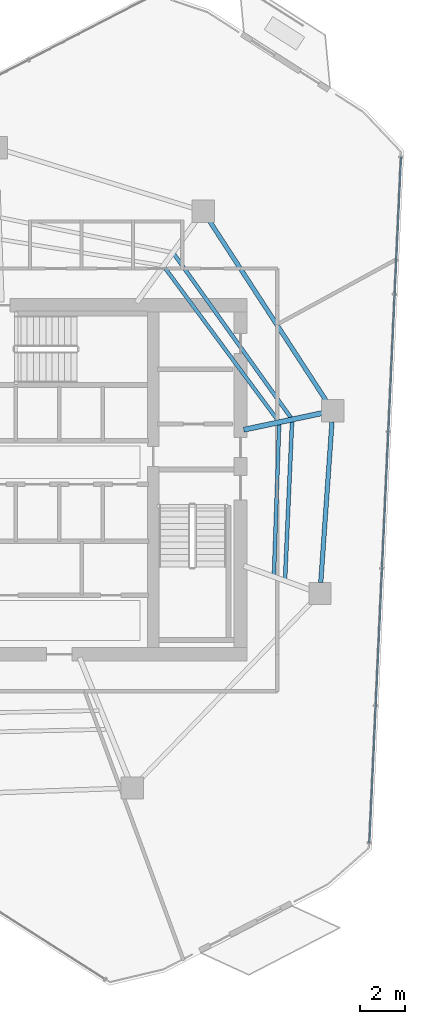
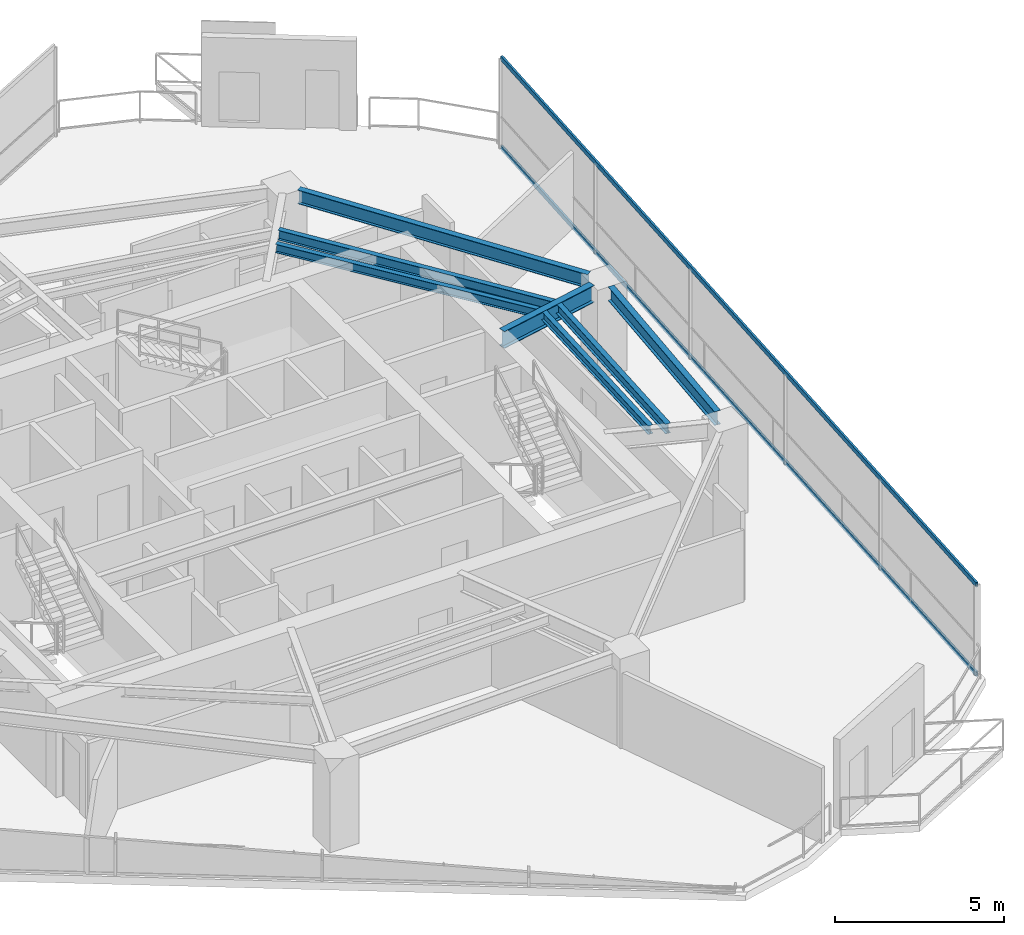
# One storey, part 9 of 20: 7 beams, 2 members, 1 element without a shape of its own.
"""IFC4 building model written with IfcOpenShell, lengths in metres."""

from ifc_helpers import new_model, si_unit, direction, frame, origin, origin_2d, place, context, subcontext, project, spatial, hollow_rectangle, i_section, extrude, material, layer, layer_set, material_profile, profile_set, type_object, element, aggregate, save


model = new_model("IFC4")

# Units and contexts
model_context = context("Model", 3, precision=1e-05, world=origin(), true_north=direction((0.0, 1.0)))
body_context = subcontext(model_context, "Body", "Model", "MODEL_VIEW")
ifc_project = project(units=[si_unit("LENGTHUNIT", "METRE"), si_unit("AREAUNIT", "SQUARE_METRE"), si_unit("VOLUMEUNIT", "CUBIC_METRE"), si_unit("PLANEANGLEUNIT", "RADIAN"), si_unit("MASSUNIT", "GRAM", prefix="KILO")], contexts=[model_context])

# Site, building, storey
site_placement = place(None, origin())
site = spatial("IfcSite", under=ifc_project, at=site_placement, CompositionType="ELEMENT")
building_placement = place(site_placement, origin())
building = spatial("IfcBuilding", under=site, at=building_placement, Name="Qarnah Convention Tower", CompositionType="ELEMENT")
storey_placement = place(building_placement, frame((0.0, 0.0, 168.89990234375)))
storey = spatial("IfcBuildingStorey", under=building, at=storey_placement, Name="L45", CompositionType="ELEMENT", Elevation=168.89990234375)

# Beams
ifc_material_1 = material(Name="Structural steel S355JR", Category="steel")
ifc_material_profile_1 = material_profile(ifc_material_1, i_section(OverallWidth=0.166015625, OverallDepth=0.31201171875, WebThickness=0.007080078125, FlangeThickness=0.010986328125, at=origin_2d()), Name="W310X45")
ifc_profile_set_1 = profile_set([ifc_material_profile_1], Name="Structural steel S355JR")
beam_type_1 = type_object("IfcBeamType", Name="BM-JST-W310", PredefinedType="JOIST", material=ifc_profile_set_1)
beam_1_placement = place(storey_placement, frame((49.278076171875, 29.050048828125, 3.083984375), z_axis=(-0.595115858154, 0.803639916488, 0.0), x_axis=(-0.803639916488, -0.595115858154, 0.0)))
element("IfcBeam", 1, at=beam_1_placement, inside=storey, type_object=beam_type_1, Name="L45 joist BM-L45-IJST-01", PredefinedType="JOIST", context=body_context, shape_type="SweptSolid", body=[
    extrude(i_section(OverallWidth=0.166015625, OverallDepth=0.31201171875, WebThickness=0.007080078125, FlangeThickness=0.010986328125, at=origin_2d()), origin(), (0.0, 0.0, 1.0), 8.52099609375),
])
beam_2_placement = place(storey_placement, frame((49.095947265625, 22.162109375, 3.083984375), z_axis=(0.034644695133, 0.999399692365, 0.0), x_axis=(-0.999399692365, 0.034644695133, 0.0)))
element("IfcBeam", 2, at=beam_2_placement, inside=storey, type_object=beam_type_1, Name="L45 joist BM-L45-IJST-09", PredefinedType="JOIST", context=body_context, shape_type="SweptSolid", body=[
    extrude(i_section(OverallWidth=0.166015625, OverallDepth=0.31201171875, WebThickness=0.007080078125, FlangeThickness=0.010986328125, at=origin_2d()), origin(), (0.0, 0.0, 1.0), 6.72998046875),
])
ifc_material_profile_2 = material_profile(ifc_material_1, i_section(OverallWidth=0.172119140625, OverallDepth=0.35595703125, WebThickness=0.007080078125, FlangeThickness=0.011962890625, at=origin_2d()), Name="W360X51")
ifc_profile_set_2 = profile_set([ifc_material_profile_2], Name="Structural steel S355JR")
beam_type_2 = type_object("IfcBeamType", Name="BM-JST-W360", PredefinedType="JOIST", material=ifc_profile_set_2)
beam_3_placement = place(storey_placement, frame((49.85791015625, 29.174072265625, 3.06201171875), z_axis=(-0.581261320914, 0.813716951286, 0.0), x_axis=(-0.813716951286, -0.581261320914, 0.0)))
element("IfcBeam", 3, at=beam_3_placement, inside=storey, type_object=beam_type_2, Name="L45 joist BM-L45-SJST-01", PredefinedType="JOIST", context=body_context, shape_type="SweptSolid", body=[
    extrude(i_section(OverallWidth=0.172119140625, OverallDepth=0.35595703125, WebThickness=0.007080078125, FlangeThickness=0.011962890625, at=origin_2d()), origin(), (0.0, 0.0, 1.0), 8.987060546875),
])
beam_4_placement = place(storey_placement, frame((49.593994140625, 21.97998046875, 3.06201171875), z_axis=(0.044332910423, 0.999016813199, 0.0), x_axis=(-0.999016813199, 0.044332910423, 0.0)))
element("IfcBeam", 4, at=beam_4_placement, inside=storey, type_object=beam_type_2, Name="L45 joist BM-L45-SJST-09", PredefinedType="JOIST", context=body_context, shape_type="SweptSolid", body=[
    extrude(i_section(OverallWidth=0.172119140625, OverallDepth=0.35595703125, WebThickness=0.007080078125, FlangeThickness=0.011962890625, at=origin_2d()), origin(), (0.0, 0.0, 1.0), 7.037841796875),
])
ifc_material_profile_3 = material_profile(ifc_material_1, i_section(OverallWidth=0.22998046875, OverallDepth=0.617919921875, WebThickness=0.012939453125, FlangeThickness=0.02197265625, at=origin_2d()), Name="W610X140")
ifc_profile_set_3 = profile_set([ifc_material_profile_3], Name="Structural steel S355JR")
beam_type_3 = type_object("IfcBeamType", Name="BM-RAD-W610A", PredefinedType="BEAM", material=ifc_profile_set_3)
beam_5_placement = place(storey_placement, frame((47.7470703125, 28.64111328125, 2.93115234375), z_axis=(0.978133929389, 0.207975999045, 0.0), x_axis=(-0.207975999045, 0.978133929389, 0.0)))
element("IfcBeam", 5, at=beam_5_placement, inside=storey, type_object=beam_type_3, Name="L45 beam BM-L45-RAD-01", PredefinedType="BEAM", context=body_context, shape_type="SweptSolid", body=[
    extrude(i_section(OverallWidth=0.22998046875, OverallDepth=0.617919921875, WebThickness=0.012939453125, FlangeThickness=0.02197265625, at=origin_2d()), origin(), (0.0, 0.0, 1.0), 3.586181640625),
])
ifc_material_profile_4 = material_profile(ifc_material_1, i_section(OverallWidth=0.199951171875, OverallDepth=0.5, WebThickness=0.010009765625, FlangeThickness=0.01611328125, at=origin_2d()), Name="IPE500")
ifc_profile_set_4 = profile_set([ifc_material_profile_4], Name="Structural steel S355JR")
beam_type_4 = type_object("IfcBeamType", Name="BM-SPN-IPE500", PredefinedType="SPANDREL", material=ifc_profile_set_4)
beam_6_placement = place(storey_placement, frame((51.4580078125, 29.89794921875, 2.989990234375), z_axis=(-0.544531816504, 0.838740186717, 0.0), x_axis=(-0.838740186717, -0.544531816504, 0.0)))
element("IfcBeam", 6, at=beam_6_placement, inside=storey, type_object=beam_type_4, Name="L45 spandrel BM-L45-SPN-01", PredefinedType="SPANDREL", context=body_context, shape_type="SweptSolid", body=[
    extrude(i_section(OverallWidth=0.199951171875, OverallDepth=0.5, WebThickness=0.010009765625, FlangeThickness=0.01611328125, at=origin_2d()), origin(), (0.0, 0.0, 1.0), 9.663330078125),
])
beam_7_placement = place(storey_placement, frame((51.18798828125, 21.81005859375, 2.989990234375), z_axis=(0.069797433651, 0.997561185219, 0.0), x_axis=(-0.997561185219, 0.069797433651, 0.0)))
element("IfcBeam", 7, at=beam_7_placement, inside=storey, type_object=beam_type_4, Name="L45 spandrel BM-L45-SPN-09", PredefinedType="SPANDREL", context=body_context, shape_type="SweptSolid", body=[
    extrude(i_section(OverallWidth=0.199951171875, OverallDepth=0.5, WebThickness=0.010009765625, FlangeThickness=0.01611328125, at=origin_2d()), origin(), (0.0, 0.0, 1.0), 7.20556640625),
])

# Curtain wall, members
ifc_material_2 = material(Name="Tempered Low-E dark glass", Category="glass")
ifc_layer = layer(ifc_material_2, 0.172119140625)
ifc_layer_set = layer_set([ifc_layer], Name="Tempered Low-E dark glass")
curtain_wall_type = type_object("IfcCurtainWallType", Name="CWS-03", PredefinedType="NOTDEFINED", material=ifc_layer_set)
curtain_wall_placement = place(storey_placement, origin())
curtain_wall = element("IfcCurtainWall", 8, at=curtain_wall_placement, inside=storey, type_object=curtain_wall_type, Name="L45 unitised curtain wall CW-L45-F3", PredefinedType="NOTDEFINED")
ifc_material_3 = material(Name="Black anodised aluminium", Category="aluminium")
ifc_material_profile_5 = material_profile(ifc_material_3, hollow_rectangle(XDim=0.070068359375, YDim=0.169921875, WallThickness=0.0048828125, at=origin_2d()), Name="TRN-70X170")
ifc_profile_set_5 = profile_set([ifc_material_profile_5], Name="Black anodised aluminium")
member_type = type_object("IfcMemberType", Name="TRN-T3", PredefinedType="USERDEFINED", material=ifc_profile_set_5)
member_1_placement = place(storey_placement, frame((54.77490234375, 40.824951171875, 0.0), z_axis=(-0.046054552713, -0.998938926148, 0.0), x_axis=(0.998938926148, -0.046054552713, 0.0)))
member_1 = element("IfcMember", 9, at=member_1_placement, type_object=member_type, Name="CW-L45-F3 transom 1", ObjectType="TRANSOM", PredefinedType="USERDEFINED", context=body_context, shape_type="SweptSolid", body=[
    extrude(hollow_rectangle(XDim=0.070068359375, YDim=0.169921875, WallThickness=0.0048828125, at=origin_2d()), origin(), (0.0, 0.0, 1.0), 30.677490234375),
])
member_2_placement = place(storey_placement, frame((54.77490234375, 40.824951171875, 3.239990234375), z_axis=(-0.046054552713, -0.998938926148, 0.0), x_axis=(0.998938926148, -0.046054552713, 0.0)))
member_2 = element("IfcMember", 10, at=member_2_placement, type_object=member_type, Name="CW-L45-F3 transom 2", ObjectType="TRANSOM", PredefinedType="USERDEFINED", context=body_context, shape_type="SweptSolid", body=[
    extrude(hollow_rectangle(XDim=0.070068359375, YDim=0.169921875, WallThickness=0.0048828125, at=origin_2d()), origin(), (0.0, 0.0, 1.0), 30.677490234375),
])
aggregate(curtain_wall, [member_1, member_2])

save(model, "model.ifc")
